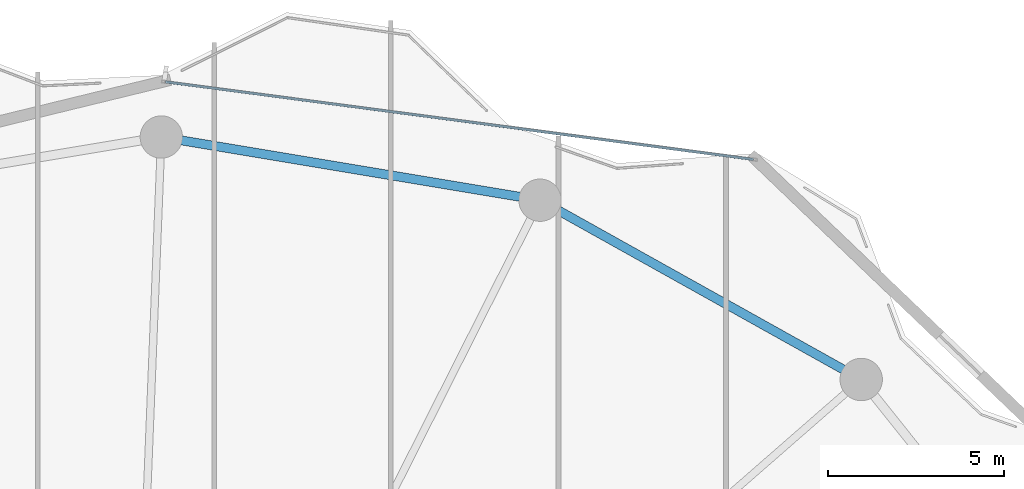
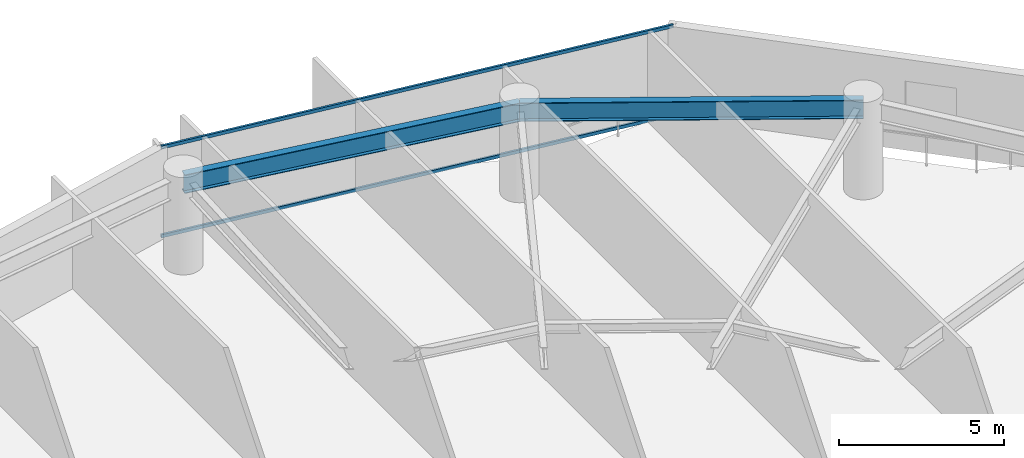
# One storey, part 21 of 30: 2 beams, 2 members, 1 element without a shape of its own.
"""IFC4 building model written with IfcOpenShell, lengths in metres."""

import ifcopenshell
import ifcopenshell.guid

model = None  # the IFC model being written
_history = None  # IfcOwnerHistory: only IFC2X3 demands one
_inside = {}  # id of a spatial element -> (the spatial element, [elements in it])
_under = {}  # id of a project, library or spatial element -> (it, [spatial elements below it])
_declared = {}  # id of a project -> (the project, [libraries it declares])
_typed = {}  # id of a type object -> (the type object, [elements of that type])
_made_of = {}  # id of a material, layer set ... -> (it, [elements and type objects made of it])


def new_model(schema):
    """Start an empty IFC model of exactly this schema.

    Asked for "IFC4X3", IfcOpenShell would pick the latest addendum, in which some entities
    have other attributes; the version numbers below select the first issue.
    IFC2X3 requires an IfcOwnerHistory on every rooted entity: one is made here for all.
    """
    global model, _history
    if schema == "IFC4X3":
        model = ifcopenshell.file(schema_version=(4, 3, 0, 0))
    else:
        model = ifcopenshell.file(schema=schema)
    _inside.clear()
    _under.clear()
    _declared.clear()
    _typed.clear()
    _made_of.clear()
    _history = None
    if model.schema == "IFC2X3":
        org = make("IfcOrganization", Name="unknown")
        user = make(
            "IfcPersonAndOrganization",
            ThePerson=make("IfcPerson", FamilyName="unknown"),
            TheOrganization=org,
        )
        app = make(
            "IfcApplication",
            ApplicationDeveloper=org,
            Version="unknown",
            ApplicationFullName="unknown",
            ApplicationIdentifier="unknown",
        )
        _history = make(
            "IfcOwnerHistory",
            OwningUser=user,
            OwningApplication=app,
            ChangeAction="ADDED",
            CreationDate=0,
        )
    return model


def make(cls, **values):
    """One entity of the class cls with the attributes given. An attribute that is None is left unset."""
    return model.create_entity(
        cls, **{name: value for name, value in values.items() if value is not None}
    )


def rooted(cls, **values):
    """An entity with a GlobalId (a new one), such as an element, a storey or a relation."""
    return make(cls, GlobalId=ifcopenshell.guid.new(), OwnerHistory=_history, **values)


def si_unit(unit_type, name, prefix=None):
    """IfcSIUnit, for example si_unit("LENGTHUNIT", "METRE", prefix="MILLI")."""
    return make("IfcSIUnit", UnitType=unit_type, Prefix=prefix, Name=name)


def assignment(units):
    """IfcUnitAssignment: the units of a project."""
    return None if units is None else make("IfcUnitAssignment", Units=units)


def point(xyz):
    """IfcCartesianPoint."""
    return None if xyz is None else make("IfcCartesianPoint", Coordinates=xyz)


def direction(xyz):
    """IfcDirection."""
    return None if xyz is None else make("IfcDirection", DirectionRatios=xyz)


def frame(location, z_axis=None, x_axis=None):
    """IfcAxis2Placement3D, a coordinate frame: its origin and axes. An axis left out is left unset."""
    return make(
        "IfcAxis2Placement3D",
        Location=point(location),
        Axis=direction(z_axis),
        RefDirection=direction(x_axis),
    )


def frame_2d(location, x_axis=None):
    """IfcAxis2Placement2D, a coordinate frame in the plane: its origin and x axis."""
    return make(
        "IfcAxis2Placement2D", Location=point(location), RefDirection=direction(x_axis)
    )


def origin():
    """The frame at (0, 0, 0) with its axes left unset."""
    return frame((0.0, 0.0, 0.0))


def origin_2d():
    """The frame at (0, 0) in the plane with its x axis left unset."""
    return frame_2d((0.0, 0.0))


def place(relative_to, where):
    """IfcLocalPlacement: puts the frame where relative to a parent placement (None: the world)."""
    return make(
        "IfcLocalPlacement", PlacementRelTo=relative_to, RelativePlacement=where
    )


def context(
    kind, dimensions, precision=None, world=None, true_north=None, identifier=None
):
    """IfcGeometricRepresentationContext, for example the 3D "Model" context."""
    return make(
        "IfcGeometricRepresentationContext",
        ContextIdentifier=identifier,
        ContextType=kind,
        CoordinateSpaceDimension=dimensions,
        Precision=precision,
        WorldCoordinateSystem=world,
        TrueNorth=true_north,
    )


def subcontext(parent, identifier, kind, view, scale=None):
    """IfcGeometricRepresentationSubContext, for example "Body" below "Model"."""
    return make(
        "IfcGeometricRepresentationSubContext",
        ContextIdentifier=identifier,
        ContextType=kind,
        ParentContext=parent,
        TargetScale=scale,
        TargetView=view,
    )


def project(units=None, contexts=None):
    """IfcProject with its units and contexts."""
    return rooted(
        "IfcProject",
        Name="project",
        RepresentationContexts=contexts,
        UnitsInContext=assignment(units),
    )


def spatial(cls, under=None, at=None, **own):
    """A site, building, storey or space (cls), placed at a placement, below another one or the project."""
    s = rooted(cls, ObjectPlacement=at, **own)
    if under is not None:
        _under.setdefault(under.id(), (under, []))[1].append(s)
    return s


def profile(cls, at=None, kind="AREA", **sizes):
    """A parametric profile (cls). Its sizes go by their IFC names, for example OverallWidth=200.0."""
    return make(cls, ProfileType=kind, Position=at, **sizes)


def hollow_rectangle(**sizes):
    """IfcRectangleHollowProfileDef."""
    return profile("IfcRectangleHollowProfileDef", **sizes)


def i_section(**sizes):
    """IfcIShapeProfileDef."""
    return profile("IfcIShapeProfileDef", **sizes)


def extrude(swept, where, along, depth):
    """IfcExtrudedAreaSolid: the profile swept, set in the frame where, extruded along a direction by depth."""
    return make(
        "IfcExtrudedAreaSolid",
        SweptArea=swept,
        Position=where,
        ExtrudedDirection=direction(along),
        Depth=depth,
    )


def shape(context_of_items, identifier, shape_type, items):
    """IfcShapeRepresentation: the items that make up one representation, for example the "Body"."""
    return make(
        "IfcShapeRepresentation",
        ContextOfItems=context_of_items,
        RepresentationIdentifier=identifier,
        RepresentationType=shape_type,
        Items=items,
    )


def material(Name=None, Category=None):
    """IfcMaterial."""
    return make("IfcMaterial", Name=Name, Category=Category)


def layer(
    of_material, thickness, ventilated=None, Name=None, Category=None, Priority=None
):
    """IfcMaterialLayer: one layer of a wall or slab, of a material (None: an air gap)."""
    return make(
        "IfcMaterialLayer",
        Material=of_material,
        LayerThickness=thickness,
        IsVentilated=ventilated,
        Name=Name,
        Category=Category,
        Priority=Priority,
    )


def layer_set(layers, Name=None):
    """IfcMaterialLayerSet."""
    return make("IfcMaterialLayerSet", MaterialLayers=layers, LayerSetName=Name)


def material_profile(
    of_material, cross_section, Name=None, Category=None, Priority=None
):
    """IfcMaterialProfile: a cross section and its material."""
    return make(
        "IfcMaterialProfile",
        Name=Name,
        Material=of_material,
        Profile=cross_section,
        Priority=Priority,
        Category=Category,
    )


def profile_set(profiles, Name=None, composite=None):
    """IfcMaterialProfileSet."""
    return make(
        "IfcMaterialProfileSet",
        Name=Name,
        MaterialProfiles=profiles,
        CompositeProfile=composite,
    )


def made_of(thing, what):
    """Note that an element or type object is made of a material, layer set ...; save() writes the relation."""
    if what is not None:
        _made_of.setdefault(what.id(), (what, []))[1].append(thing)
    return thing


def type_object(cls, material=None, **own):
    """A type object (cls), such as IfcWallType, which elements share."""
    return made_of(rooted(cls, **own), material)


def element(
    cls,
    number,
    at=None,
    inside=None,
    cuts=None,
    type_object=None,
    material=None,
    context=None,
    identifier="Body",
    shape_type=None,
    held_by="IfcProductDefinitionShape",
    body=None,
    shapes=None,
    **own,
):
    """One element of the class cls, such as IfcWall. Its Tag is "e" and its number.

    at: its placement. inside: the storey or other place that contains it. cuts: it is an
    opening in that element (IfcRelVoidsElement). A single representation is given by context,
    identifier, shape_type and body (its items); several are given by shapes. held_by: the class
    of the entity that holds the representations. save() writes the other relations.
    """
    e = rooted(cls, Tag="e%d" % number, ObjectPlacement=at, **own)
    if body is not None:
        shapes = [shape(context, identifier, shape_type, body)]
    if shapes is not None:
        e.Representation = make(held_by, Representations=shapes)
    if inside is not None:
        _inside.setdefault(inside.id(), (inside, []))[1].append(e)
    if cuts is not None:
        rooted(
            "IfcRelVoidsElement", RelatingBuildingElement=cuts, RelatedOpeningElement=e
        )
    if type_object is not None:
        _typed.setdefault(type_object.id(), (type_object, []))[1].append(e)
    return made_of(e, material)


def aggregate(whole, parts):
    """IfcRelAggregates: a whole, such as a stair, and the parts it consists of."""
    return rooted("IfcRelAggregates", RelatingObject=whole, RelatedObjects=parts)


def save(model, path):
    """Write the relations noted so far, then the file.

    IfcRelAggregates (storeys below a building ...), IfcRelContainedInSpatialStructure (elements
    in a storey), IfcRelDefinesByType, IfcRelAssociatesMaterial and IfcRelDeclares: one each for
    every whole, place, type object, material and project.
    """
    for whole, parts in _under.values():
        aggregate(whole, parts)
    for where, things in _inside.values():
        rooted(
            "IfcRelContainedInSpatialStructure",
            RelatedElements=things,
            RelatingStructure=where,
        )
    for kind, things in _typed.values():
        rooted("IfcRelDefinesByType", RelatedObjects=things, RelatingType=kind)
    for what, things in _made_of.values():
        rooted("IfcRelAssociatesMaterial", RelatedObjects=things, RelatingMaterial=what)
    for by, libraries in _declared.values():
        rooted("IfcRelDeclares", RelatingContext=by, RelatedDefinitions=libraries)
    model.write(path)


model = new_model("IFC4")

# Units and contexts
model_context = context("Model", 3, precision=1e-05, world=origin(), true_north=direction((0.0, 1.0)))
body_context = subcontext(model_context, "Body", "Model", "MODEL_VIEW")
ifc_project = project(units=[si_unit("LENGTHUNIT", "METRE"), si_unit("AREAUNIT", "SQUARE_METRE"), si_unit("VOLUMEUNIT", "CUBIC_METRE"), si_unit("PLANEANGLEUNIT", "RADIAN"), si_unit("MASSUNIT", "GRAM", prefix="KILO")], contexts=[model_context])

# Site, building, storey
site_placement = place(None, origin())
site = spatial("IfcSite", under=ifc_project, at=site_placement, CompositionType="ELEMENT")
building_placement = place(site_placement, origin())
building = spatial("IfcBuilding", under=site, at=building_placement, Name="Kazevale Care Tower and Concert Hall", CompositionType="ELEMENT")
storey_placement = place(building_placement, frame((0.0, 0.0, 131.39990234375)))
storey = spatial("IfcBuildingStorey", under=building, at=storey_placement, Name="L34", CompositionType="ELEMENT", Elevation=131.39990234375)

# Curtain wall, members
ifc_material_1 = material(Name="Aluminium 6063-T6 and Low-E Glass", Category="aluminium")
ifc_layer = layer(ifc_material_1, 0.179931640625)
ifc_layer_set = layer_set([ifc_layer], Name="Aluminium 6063-T6 and Low-E Glass")
curtain_wall_type = type_object("IfcCurtainWallType", Name="Convex Recessed Sunroom Curtain Wall CW-3", PredefinedType="NOTDEFINED", material=ifc_layer_set)
curtain_wall_placement = place(storey_placement, origin())
curtain_wall = element("IfcCurtainWall", 1, at=curtain_wall_placement, inside=storey, type_object=curtain_wall_type, Name="cw:L34:f16", PredefinedType="NOTDEFINED")
ifc_material_2 = material(Name="Aluminium 6063-T6", Category="aluminium")
ifc_material_profile_1 = material_profile(ifc_material_2, hollow_rectangle(XDim=0.074951171875, YDim=0.1201171875, WallThickness=0.00390625, at=origin_2d()), Name="ALU75x120x4")
ifc_profile_set_1 = profile_set([ifc_material_profile_1], Name="Aluminium 6063-T6")
member_type = type_object("IfcMemberType", Name="CW-3 Transom ALU75x120x4", PredefinedType="USERDEFINED", material=ifc_profile_set_1)
member_1_placement = place(storey_placement, frame((45.121337890625, 63.01220703125, 0.03759765625), z_axis=(0.99140485097, -0.130829742311, 0.0), x_axis=(0.130829742311, 0.99140485097, 0.0)))
member_1 = element("IfcMember", 2, at=member_1_placement, type_object=member_type, Name="CW-3 transom 1.1", ObjectType="TRANSOM", PredefinedType="USERDEFINED", context=body_context, shape_type="SweptSolid", body=[
    extrude(hollow_rectangle(XDim=0.074951171875, YDim=0.1201171875, WallThickness=0.00390625, at=origin_2d()), origin(), (0.0, 0.0, 1.0), 16.796630859375),
])
member_2_placement = place(storey_placement, frame((45.121337890625, 63.01220703125, 3.322509765625), z_axis=(0.99140485097, -0.130829742311, 0.0), x_axis=(0.130829742311, 0.99140485097, 0.0)))
member_2 = element("IfcMember", 3, at=member_2_placement, type_object=member_type, Name="CW-3 transom 1.2", ObjectType="TRANSOM", PredefinedType="USERDEFINED", context=body_context, shape_type="SweptSolid", body=[
    extrude(hollow_rectangle(XDim=0.074951171875, YDim=0.1201171875, WallThickness=0.00390625, at=origin_2d()), origin(), (0.0, 0.0, 1.0), 16.796630859375),
])
aggregate(curtain_wall, [member_1, member_2])

# Beams
ifc_material_3 = material(Name="Steel ASTM A572 Gr 50", Category="steel")
ifc_material_profile_2 = material_profile(ifc_material_3, i_section(OverallWidth=0.256103515625, OverallDepth=0.693115234375, WebThickness=0.014404296875, FlangeThickness=0.023681640625, at=origin_2d()), Name="W690x170")
ifc_profile_set_2 = profile_set([ifc_material_profile_2], Name="Steel ASTM A572 Gr 50")
beam_type = type_object("IfcBeamType", Name="Waist Ring Beam W690x170", PredefinedType="BEAM", material=ifc_profile_set_2)
beam_1_placement = place(storey_placement, frame((64.830078125, 54.580078125, 3.013671875), z_axis=(-0.873168720251, 0.487418081297, 0.0), x_axis=(-0.487418081297, -0.873168720251, 0.0)))
element("IfcBeam", 4, at=beam_1_placement, inside=storey, type_object=beam_type, Name="beam:L34:ring:03", PredefinedType="BEAM", context=body_context, shape_type="SweptSolid", body=[
    extrude(i_section(OverallWidth=0.256103515625, OverallDepth=0.693115234375, WebThickness=0.014404296875, FlangeThickness=0.023681640625, at=origin_2d()), origin(), (0.0, 0.0, 1.0), 10.421875),
])
beam_2_placement = place(storey_placement, frame((55.72998046875, 59.659912109375, 3.013671875), z_axis=(-0.986368436187, 0.164551840139, 0.0), x_axis=(-0.164551840139, -0.986368436187, 0.0)))
element("IfcBeam", 5, at=beam_2_placement, inside=storey, type_object=beam_type, Name="beam:L34:ring:04", PredefinedType="BEAM", context=body_context, shape_type="SweptSolid", body=[
    extrude(i_section(OverallWidth=0.256103515625, OverallDepth=0.693115234375, WebThickness=0.014404296875, FlangeThickness=0.023681640625, at=origin_2d()), origin(), (0.0, 0.0, 1.0), 10.878173828125),
])

save(model, "model.ifc")
